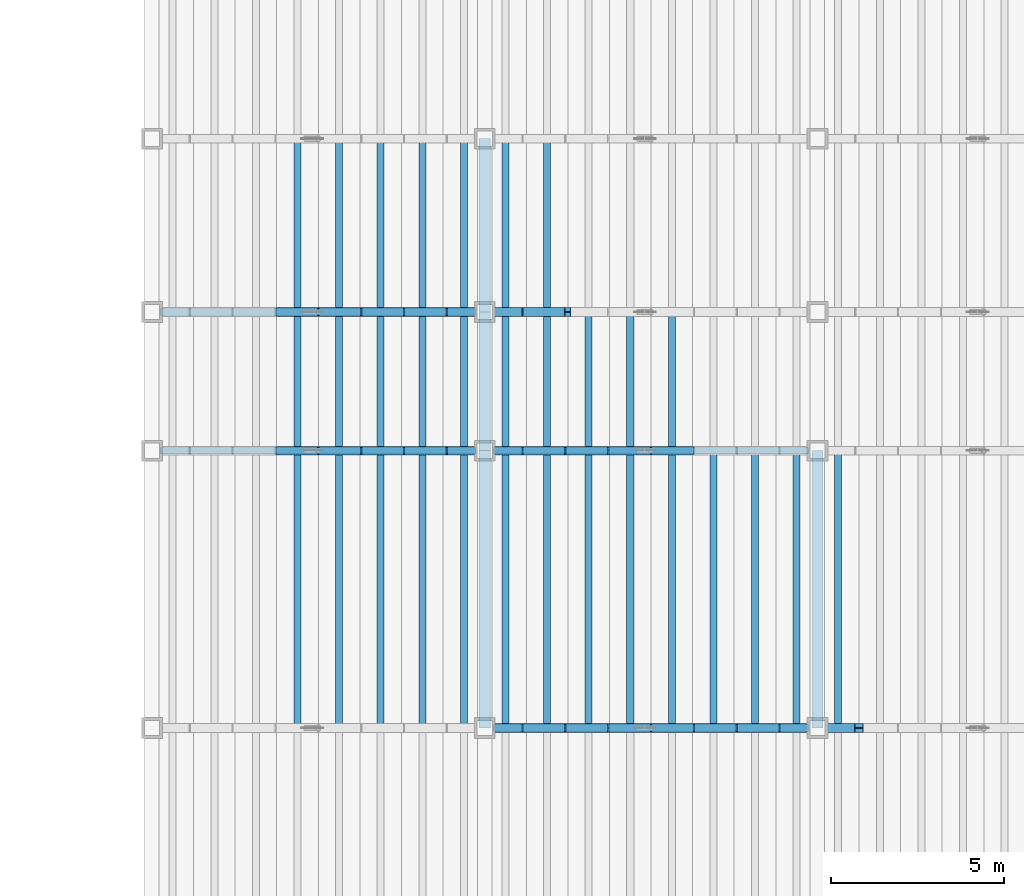
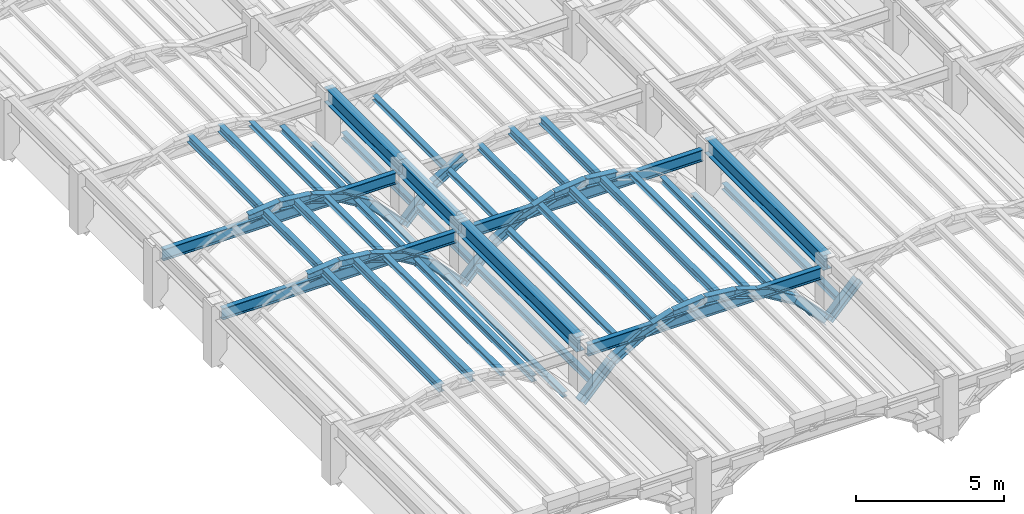
# One storey, part 17 of 70: 57 members, 8 beams.
"""IFC4 building model written with IfcOpenShell, lengths in metres."""

from ifc_helpers import new_model, si_unit, direction, frame, origin, origin_2d, place, context, subcontext, project, spatial, i_section, extrude, material, material_profile, profile_set, type_object, element, save


model = new_model("IFC4")

# Units and contexts
model_context = context("Model", 3, precision=1e-05, world=origin(), true_north=direction((0.0, 1.0)))
body_context = subcontext(model_context, "Body", "Model", "MODEL_VIEW")
ifc_project = project(units=[si_unit("LENGTHUNIT", "METRE"), si_unit("AREAUNIT", "SQUARE_METRE"), si_unit("VOLUMEUNIT", "CUBIC_METRE"), si_unit("PLANEANGLEUNIT", "RADIAN"), si_unit("MASSUNIT", "GRAM", prefix="KILO")], contexts=[model_context])

# Site, building, storey
site_placement = place(None, origin())
site = spatial("IfcSite", under=ifc_project, at=site_placement, CompositionType="ELEMENT")
building_placement = place(site_placement, origin())
building = spatial("IfcBuilding", under=site, at=building_placement, Name="Mavantir Sound Aquarium", CompositionType="ELEMENT")
storey_placement = place(building_placement, frame((0.0, 0.0, 27.0)))
storey = spatial("IfcBuildingStorey", under=building, at=storey_placement, Name="RF", CompositionType="ELEMENT", Elevation=27.0)

# Beams
ifc_material = material(Name="Structural Steel ASTM A992 Gr50", Category="steel")
ifc_material_profile_1 = material_profile(ifc_material, i_section(OverallWidth=0.194091796875, OverallDepth=0.468994140625, WebThickness=0.0126953125, FlangeThickness=0.0205078125, FilletRadius=0.01611328125, at=origin_2d()), Name="W460X106")
ifc_profile_set_1 = profile_set([ifc_material_profile_1], Name="Structural Steel ASTM A992 Gr50")
beam_type_1 = type_object("IfcBeamType", Name="BM-W460X106-I", PredefinedType="BEAM", material=ifc_profile_set_1)
for number, where, z_axis, x_axis, name in (
    (1, (108.25, 56.800048828125, -5.327392578125), (1.0, 0.0, 0.0), (0.0, 1.0, 0.0), "Scalloped bay 1 transverse tie girder 21"),
    (2, (108.25, 60.800048828125, -5.327392578125), (1.0, 0.0, 0.0), (0.0, 1.0, 0.0), "Scalloped bay 1 transverse tie girder 31"),
):
    element("IfcBeam", number, at=place(storey_placement, frame(where, z_axis=z_axis, x_axis=x_axis)), inside=storey, type_object=beam_type_1, Name=name, PredefinedType="BEAM", context=body_context, shape_type="SweptSolid", body=[
        extrude(i_section(OverallWidth=0.194091796875, OverallDepth=0.468994140625, WebThickness=0.0126953125, FlangeThickness=0.0205078125, FilletRadius=0.01611328125, at=origin_2d()), origin(), (0.0, 0.0, 1.0), 9.10009765625),
    ])
for number, where, z_axis, x_axis, name in (
    (3, (117.85009765625, 48.800048828125, -5.327392578125), (1.0, 0.0, 0.0), (0.0, 1.0, 0.0), "Scalloped bay 2 transverse tie girder 111"),
    (4, (117.85009765625, 56.800048828125, -5.327392578125), (1.0, 0.0, 0.0), (0.0, 1.0, 0.0), "Scalloped bay 2 transverse tie girder 121"),
):
    element("IfcBeam", number, at=place(storey_placement, frame(where, z_axis=z_axis, x_axis=x_axis)), inside=storey, type_object=beam_type_1, Name=name, PredefinedType="BEAM", context=body_context, shape_type="SweptSolid", body=[
        extrude(i_section(OverallWidth=0.194091796875, OverallDepth=0.468994140625, WebThickness=0.0126953125, FlangeThickness=0.0205078125, FilletRadius=0.01611328125, at=origin_2d()), origin(), (0.0, 0.0, 1.0), 9.099853515625),
    ])
ifc_material_profile_2 = material_profile(ifc_material, i_section(OverallWidth=0.323974609375, OverallDepth=0.611083984375, WebThickness=0.0126953125, FlangeThickness=0.01904296875, FilletRadius=0.01904296875, at=origin_2d()), Name="W610X155")
ifc_profile_set_2 = profile_set([ifc_material_profile_2], Name="Structural Steel ASTM A992 Gr50")
beam_type_2 = type_object("IfcBeamType", Name="BM-W610X155-E", PredefinedType="BEAM", material=ifc_profile_set_2)
beam_1_placement = place(storey_placement, frame((117.60009765625, 48.800048828125, -5.0048828125), z_axis=(0.0, 1.0, 0.0), x_axis=(-1.0, 0.0, 0.0)))
element("IfcBeam", 5, at=beam_1_placement, inside=storey, type_object=beam_type_2, Name="Scalloped roof straight ridge beam 11", PredefinedType="BEAM", context=body_context, shape_type="SweptSolid", body=[
    extrude(i_section(OverallWidth=0.323974609375, OverallDepth=0.611083984375, WebThickness=0.0126953125, FlangeThickness=0.01904296875, FilletRadius=0.01904296875, at=origin_2d()), origin(), (0.0, 0.0, 1.0), 8.0),
])
beam_2_placement = place(storey_placement, frame((117.60009765625, 56.800048828125, -5.0048828125), z_axis=(0.0, 1.0, 0.0), x_axis=(-1.0, 0.0, 0.0)))
element("IfcBeam", 6, at=beam_2_placement, inside=storey, type_object=beam_type_2, Name="Scalloped roof straight ridge beam 12", PredefinedType="BEAM", context=body_context, shape_type="SweptSolid", body=[
    extrude(i_section(OverallWidth=0.323974609375, OverallDepth=0.611083984375, WebThickness=0.0126953125, FlangeThickness=0.01904296875, FilletRadius=0.01904296875, at=origin_2d()), origin(), (0.0, 0.0, 1.0), 4.0),
])
beam_3_placement = place(storey_placement, frame((117.60009765625, 60.800048828125, -5.0048828125), z_axis=(0.0, 1.0, 0.0), x_axis=(-1.0, 0.0, 0.0)))
element("IfcBeam", 7, at=beam_3_placement, inside=storey, type_object=beam_type_2, Name="Scalloped roof straight ridge beam 13", PredefinedType="BEAM", context=body_context, shape_type="SweptSolid", body=[
    extrude(i_section(OverallWidth=0.323974609375, OverallDepth=0.611083984375, WebThickness=0.0126953125, FlangeThickness=0.01904296875, FilletRadius=0.01904296875, at=origin_2d()), origin(), (0.0, 0.0, 1.0), 5.0),
])
beam_4_placement = place(storey_placement, frame((127.199951171875, 48.800048828125, -5.0048828125), z_axis=(0.0, 1.0, 0.0), x_axis=(-1.0, 0.0, 0.0)))
element("IfcBeam", 8, at=beam_4_placement, inside=storey, type_object=beam_type_2, Name="Scalloped roof straight ridge beam 20", PredefinedType="BEAM", context=body_context, shape_type="SweptSolid", body=[
    extrude(i_section(OverallWidth=0.323974609375, OverallDepth=0.611083984375, WebThickness=0.0126953125, FlangeThickness=0.01904296875, FilletRadius=0.01904296875, at=origin_2d()), origin(), (0.0, 0.0, 1.0), 8.0),
])

# Members
ifc_material_profile_3 = material_profile(ifc_material, i_section(OverallWidth=0.202880859375, OverallDepth=0.202880859375, WebThickness=0.007080078125, FlangeThickness=0.010986328125, FilletRadius=0.010009765625, at=origin_2d()), Name="W200X46")
ifc_profile_set_3 = profile_set([ifc_material_profile_3], Name="Structural Steel ASTM A992 Gr50")
member_type_1 = type_object("IfcMemberType", Name="MEM-TR-W200", PredefinedType="PURLIN", material=ifc_profile_set_3)
for number, where, z_axis, x_axis, name in (
    (9, (114.60009765625, 48.800048828125, -5.169921875), (0.0, 1.0, 0.0), (-1.0, 0.0, 0.0), "Scalloped bay 1 roof purlin 14"),
    (10, (117.0, 48.800048828125, -6.881103515625), (0.0, 1.0, 0.0), (-1.0, 0.0, 0.0), "Scalloped bay 1 roof purlin 16"),
):
    element("IfcMember", number, at=place(storey_placement, frame(where, z_axis=z_axis, x_axis=x_axis)), inside=storey, type_object=member_type_1, Name=name, PredefinedType="PURLIN", context=body_context, shape_type="SweptSolid", body=[
        extrude(i_section(OverallWidth=0.202880859375, OverallDepth=0.202880859375, WebThickness=0.007080078125, FlangeThickness=0.010986328125, FilletRadius=0.010009765625, at=origin_2d()), origin(), (0.0, 0.0, 1.0), 8.0),
    ])
for number, where, z_axis, x_axis, name in (
    (11, (114.60009765625, 56.800048828125, -5.169921875), (0.0, 1.0, 0.0), (-1.0, 0.0, 0.0), "Scalloped bay 1 roof purlin 22"),
    (12, (117.0, 56.800048828125, -6.881103515625), (0.0, 1.0, 0.0), (-1.0, 0.0, 0.0), "Scalloped bay 1 roof purlin 24"),
):
    element("IfcMember", number, at=place(storey_placement, frame(where, z_axis=z_axis, x_axis=x_axis)), inside=storey, type_object=member_type_1, Name=name, PredefinedType="PURLIN", context=body_context, shape_type="SweptSolid", body=[
        extrude(i_section(OverallWidth=0.202880859375, OverallDepth=0.202880859375, WebThickness=0.007080078125, FlangeThickness=0.010986328125, FilletRadius=0.010009765625, at=origin_2d()), origin(), (0.0, 0.0, 1.0), 4.0),
    ])
for number, where, z_axis, x_axis, name in (
    (13, (114.60009765625, 60.800048828125, -5.169921875), (0.0, 1.0, 0.0), (-1.0, 0.0, 0.0), "Scalloped bay 1 roof purlin 30"),
    (14, (117.0, 60.800048828125, -6.881103515625), (0.0, 1.0, 0.0), (-1.0, 0.0, 0.0), "Scalloped bay 1 roof purlin 32"),
):
    element("IfcMember", number, at=place(storey_placement, frame(where, z_axis=z_axis, x_axis=x_axis)), inside=storey, type_object=member_type_1, Name=name, PredefinedType="PURLIN", context=body_context, shape_type="SweptSolid", body=[
        extrude(i_section(OverallWidth=0.202880859375, OverallDepth=0.202880859375, WebThickness=0.007080078125, FlangeThickness=0.010986328125, FilletRadius=0.010009765625, at=origin_2d()), origin(), (0.0, 0.0, 1.0), 5.0),
    ])
for number, where, z_axis, x_axis, name in (
    (15, (119.39990234375, 48.800048828125, -5.77978515625), (0.0, 1.0, 0.0), (-1.0, 0.0, 0.0), "Scalloped bay 2 roof purlin 82"),
    (16, (124.199951171875, 48.800048828125, -5.169921875), (0.0, 1.0, 0.0), (-1.0, 0.0, 0.0), "Scalloped bay 2 roof purlin 86"),
    (17, (126.60009765625, 48.800048828125, -6.881103515625), (0.0, 1.0, 0.0), (-1.0, 0.0, 0.0), "Scalloped bay 2 roof purlin 88"),
):
    element("IfcMember", number, at=place(storey_placement, frame(where, z_axis=z_axis, x_axis=x_axis)), inside=storey, type_object=member_type_1, Name=name, PredefinedType="PURLIN", context=body_context, shape_type="SweptSolid", body=[
        extrude(i_section(OverallWidth=0.202880859375, OverallDepth=0.202880859375, WebThickness=0.007080078125, FlangeThickness=0.010986328125, FilletRadius=0.010009765625, at=origin_2d()), origin(), (0.0, 0.0, 1.0), 8.0),
    ])
member_1_placement = place(storey_placement, frame((119.39990234375, 56.800048828125, -5.77978515625), z_axis=(0.0, 1.0, 0.0), x_axis=(-1.0, 0.0, 0.0)))
element("IfcMember", 18, at=member_1_placement, inside=storey, type_object=member_type_1, Name="Scalloped bay 2 roof purlin 90", PredefinedType="PURLIN", context=body_context, shape_type="SweptSolid", body=[
    extrude(i_section(OverallWidth=0.202880859375, OverallDepth=0.202880859375, WebThickness=0.007080078125, FlangeThickness=0.010986328125, FilletRadius=0.010009765625, at=origin_2d()), origin(), (0.0, 0.0, 1.0), 4.0),
])
member_2_placement = place(storey_placement, frame((119.39990234375, 60.800048828125, -5.77978515625), z_axis=(0.0, 1.0, 0.0), x_axis=(-1.0, 0.0, 0.0)))
element("IfcMember", 19, at=member_2_placement, inside=storey, type_object=member_type_1, Name="Scalloped bay 2 roof purlin 98", PredefinedType="PURLIN", context=body_context, shape_type="SweptSolid", body=[
    extrude(i_section(OverallWidth=0.202880859375, OverallDepth=0.202880859375, WebThickness=0.007080078125, FlangeThickness=0.010986328125, FilletRadius=0.010009765625, at=origin_2d()), origin(), (0.0, 0.0, 1.0), 5.0),
])
ifc_material_profile_4 = material_profile(ifc_material, i_section(OverallWidth=0.202880859375, OverallDepth=0.251953125, WebThickness=0.008056640625, FlangeThickness=0.013427734375, FilletRadius=0.011962890625, at=origin_2d()), Name="W250X58")
ifc_profile_set_4 = profile_set([ifc_material_profile_4], Name="Structural Steel ASTM A992 Gr50")
member_type_2 = type_object("IfcMemberType", Name="MEM-TR-W250", PredefinedType="PURLIN", material=ifc_profile_set_4)
member_3_placement = place(storey_placement, frame((115.800048828125, 48.800048828125, -5.804443359375), z_axis=(0.0, 1.0, 0.0), x_axis=(-1.0, 0.0, 0.0)))
element("IfcMember", 20, at=member_3_placement, inside=storey, type_object=member_type_2, Name="Scalloped bay 1 roof purlin 15", PredefinedType="PURLIN", context=body_context, shape_type="SweptSolid", body=[
    extrude(i_section(OverallWidth=0.202880859375, OverallDepth=0.251953125, WebThickness=0.008056640625, FlangeThickness=0.013427734375, FilletRadius=0.011962890625, at=origin_2d()), origin(), (0.0, 0.0, 1.0), 8.0),
])
member_4_placement = place(storey_placement, frame((115.800048828125, 56.800048828125, -5.804443359375), z_axis=(0.0, 1.0, 0.0), x_axis=(-1.0, 0.0, 0.0)))
element("IfcMember", 21, at=member_4_placement, inside=storey, type_object=member_type_2, Name="Scalloped bay 1 roof purlin 23", PredefinedType="PURLIN", context=body_context, shape_type="SweptSolid", body=[
    extrude(i_section(OverallWidth=0.202880859375, OverallDepth=0.251953125, WebThickness=0.008056640625, FlangeThickness=0.013427734375, FilletRadius=0.011962890625, at=origin_2d()), origin(), (0.0, 0.0, 1.0), 4.0),
])
member_5_placement = place(storey_placement, frame((115.800048828125, 60.800048828125, -5.804443359375), z_axis=(0.0, 1.0, 0.0), x_axis=(-1.0, 0.0, 0.0)))
element("IfcMember", 22, at=member_5_placement, inside=storey, type_object=member_type_2, Name="Scalloped bay 1 roof purlin 31", PredefinedType="PURLIN", context=body_context, shape_type="SweptSolid", body=[
    extrude(i_section(OverallWidth=0.202880859375, OverallDepth=0.251953125, WebThickness=0.008056640625, FlangeThickness=0.013427734375, FilletRadius=0.011962890625, at=origin_2d()), origin(), (0.0, 0.0, 1.0), 5.0),
])
for number, where, z_axis, x_axis, name in (
    (23, (118.199951171875, 48.800048828125, -6.90576171875), (0.0, 1.0, 0.0), (-1.0, 0.0, 0.0), "Scalloped bay 2 roof purlin 81"),
    (24, (120.60009765625, 48.800048828125, -5.194580078125), (0.0, 1.0, 0.0), (-1.0, 0.0, 0.0), "Scalloped bay 2 roof purlin 83"),
    (25, (125.39990234375, 48.800048828125, -5.804443359375), (0.0, 1.0, 0.0), (-1.0, 0.0, 0.0), "Scalloped bay 2 roof purlin 87"),
):
    element("IfcMember", number, at=place(storey_placement, frame(where, z_axis=z_axis, x_axis=x_axis)), inside=storey, type_object=member_type_2, Name=name, PredefinedType="PURLIN", context=body_context, shape_type="SweptSolid", body=[
        extrude(i_section(OverallWidth=0.202880859375, OverallDepth=0.251953125, WebThickness=0.008056640625, FlangeThickness=0.013427734375, FilletRadius=0.011962890625, at=origin_2d()), origin(), (0.0, 0.0, 1.0), 8.0),
    ])
for number, where, z_axis, x_axis, name in (
    (26, (118.199951171875, 56.800048828125, -6.90576171875), (0.0, 1.0, 0.0), (-1.0, 0.0, 0.0), "Scalloped bay 2 roof purlin 89"),
    (27, (120.60009765625, 56.800048828125, -5.194580078125), (0.0, 1.0, 0.0), (-1.0, 0.0, 0.0), "Scalloped bay 2 roof purlin 91"),
):
    element("IfcMember", number, at=place(storey_placement, frame(where, z_axis=z_axis, x_axis=x_axis)), inside=storey, type_object=member_type_2, Name=name, PredefinedType="PURLIN", context=body_context, shape_type="SweptSolid", body=[
        extrude(i_section(OverallWidth=0.202880859375, OverallDepth=0.251953125, WebThickness=0.008056640625, FlangeThickness=0.013427734375, FilletRadius=0.011962890625, at=origin_2d()), origin(), (0.0, 0.0, 1.0), 4.0),
    ])
member_6_placement = place(storey_placement, frame((118.199951171875, 60.800048828125, -6.90576171875), z_axis=(0.0, 1.0, 0.0), x_axis=(-1.0, 0.0, 0.0)))
element("IfcMember", 28, at=member_6_placement, inside=storey, type_object=member_type_2, Name="Scalloped bay 2 roof purlin 97", PredefinedType="PURLIN", context=body_context, shape_type="SweptSolid", body=[
    extrude(i_section(OverallWidth=0.202880859375, OverallDepth=0.251953125, WebThickness=0.008056640625, FlangeThickness=0.013427734375, FilletRadius=0.011962890625, at=origin_2d()), origin(), (0.0, 0.0, 1.0), 5.0),
])
member_7_placement = place(storey_placement, frame((127.800048828125, 48.800048828125, -6.90576171875), z_axis=(0.0, 1.0, 0.0), x_axis=(-1.0, 0.0, 0.0)))
element("IfcMember", 29, at=member_7_placement, inside=storey, type_object=member_type_2, Name="Scalloped bay 3 roof purlin 145", PredefinedType="PURLIN", context=body_context, shape_type="SweptSolid", body=[
    extrude(i_section(OverallWidth=0.202880859375, OverallDepth=0.251953125, WebThickness=0.008056640625, FlangeThickness=0.013427734375, FilletRadius=0.011962890625, at=origin_2d()), origin(), (0.0, 0.0, 1.0), 8.0),
])
ifc_material_profile_5 = material_profile(ifc_material, i_section(OverallWidth=0.205078125, OverallDepth=0.31005859375, WebThickness=0.009521484375, FlangeThickness=0.016357421875, FilletRadius=0.012939453125, at=origin_2d()), Name="W310X74")
ifc_profile_set_5 = profile_set([ifc_material_profile_5], Name="Structural Steel ASTM A992 Gr50")
member_type_3 = type_object("IfcMemberType", Name="MEM-TR-W310", PredefinedType="RAFTER", material=ifc_profile_set_5)
for number, where, z_axis, x_axis, name in (
    (30, (112.199951171875, 48.800048828125, -4.933837890625), (0.0, 1.0, 0.0), (-1.0, 0.0, 0.0), "Scalloped bay 1 roof purlin 12"),
    (31, (113.39990234375, 48.800048828125, -4.933837890625), (0.0, 1.0, 0.0), (-1.0, 0.0, 0.0), "Scalloped bay 1 roof purlin 13"),
):
    element("IfcMember", number, at=place(storey_placement, frame(where, z_axis=z_axis, x_axis=x_axis)), inside=storey, type_object=member_type_3, Name=name, PredefinedType="RAFTER", context=body_context, shape_type="SweptSolid", body=[
        extrude(i_section(OverallWidth=0.205078125, OverallDepth=0.31005859375, WebThickness=0.009521484375, FlangeThickness=0.016357421875, FilletRadius=0.012939453125, at=origin_2d()), origin(), (0.0, 0.0, 1.0), 8.0),
    ])
for number, where, z_axis, x_axis, name in (
    (32, (112.199951171875, 56.800048828125, -4.933837890625), (0.0, 1.0, 0.0), (-1.0, 0.0, 0.0), "Scalloped bay 1 roof purlin 20"),
    (33, (113.39990234375, 56.800048828125, -4.933837890625), (0.0, 1.0, 0.0), (-1.0, 0.0, 0.0), "Scalloped bay 1 roof purlin 21"),
):
    element("IfcMember", number, at=place(storey_placement, frame(where, z_axis=z_axis, x_axis=x_axis)), inside=storey, type_object=member_type_3, Name=name, PredefinedType="RAFTER", context=body_context, shape_type="SweptSolid", body=[
        extrude(i_section(OverallWidth=0.205078125, OverallDepth=0.31005859375, WebThickness=0.009521484375, FlangeThickness=0.016357421875, FilletRadius=0.012939453125, at=origin_2d()), origin(), (0.0, 0.0, 1.0), 4.0),
    ])
for number, where, z_axis, x_axis, name in (
    (34, (112.199951171875, 60.800048828125, -4.933837890625), (0.0, 1.0, 0.0), (-1.0, 0.0, 0.0), "Scalloped bay 1 roof purlin 28"),
    (35, (113.39990234375, 60.800048828125, -4.933837890625), (0.0, 1.0, 0.0), (-1.0, 0.0, 0.0), "Scalloped bay 1 roof purlin 29"),
):
    element("IfcMember", number, at=place(storey_placement, frame(where, z_axis=z_axis, x_axis=x_axis)), inside=storey, type_object=member_type_3, Name=name, PredefinedType="RAFTER", context=body_context, shape_type="SweptSolid", body=[
        extrude(i_section(OverallWidth=0.205078125, OverallDepth=0.31005859375, WebThickness=0.009521484375, FlangeThickness=0.016357421875, FilletRadius=0.012939453125, at=origin_2d()), origin(), (0.0, 0.0, 1.0), 5.0),
    ])
for number, where, z_axis, x_axis, name in (
    (36, (121.800048828125, 48.800048828125, -4.933837890625), (0.0, 1.0, 0.0), (-1.0, 0.0, 0.0), "Scalloped bay 2 roof purlin 84"),
    (37, (123.0, 48.800048828125, -4.933837890625), (0.0, 1.0, 0.0), (-1.0, 0.0, 0.0), "Scalloped bay 2 roof purlin 85"),
):
    element("IfcMember", number, at=place(storey_placement, frame(where, z_axis=z_axis, x_axis=x_axis)), inside=storey, type_object=member_type_3, Name=name, PredefinedType="RAFTER", context=body_context, shape_type="SweptSolid", body=[
        extrude(i_section(OverallWidth=0.205078125, OverallDepth=0.31005859375, WebThickness=0.009521484375, FlangeThickness=0.016357421875, FilletRadius=0.012939453125, at=origin_2d()), origin(), (0.0, 0.0, 1.0), 8.0),
    ])
for number, where, z_axis, x_axis, name in (
    (38, (121.800048828125, 56.800048828125, -4.933837890625), (0.0, 1.0, 0.0), (-1.0, 0.0, 0.0), "Scalloped bay 2 roof purlin 92"),
    (39, (123.0, 56.800048828125, -4.933837890625), (0.0, 1.0, 0.0), (-1.0, 0.0, 0.0), "Scalloped bay 2 roof purlin 93"),
):
    element("IfcMember", number, at=place(storey_placement, frame(where, z_axis=z_axis, x_axis=x_axis)), inside=storey, type_object=member_type_3, Name=name, PredefinedType="RAFTER", context=body_context, shape_type="SweptSolid", body=[
        extrude(i_section(OverallWidth=0.205078125, OverallDepth=0.31005859375, WebThickness=0.009521484375, FlangeThickness=0.016357421875, FilletRadius=0.012939453125, at=origin_2d()), origin(), (0.0, 0.0, 1.0), 4.0),
    ])
ifc_material_profile_6 = material_profile(ifc_material, i_section(OverallWidth=0.25390625, OverallDepth=0.35302734375, WebThickness=0.009521484375, FlangeThickness=0.016357421875, FilletRadius=0.014892578125, at=origin_2d()), Name="W360X91")
ifc_profile_set_6 = profile_set([ifc_material_profile_6], Name="Structural Steel ASTM A992 Gr50")
member_type_4 = type_object("IfcMemberType", Name="MEM-TR-W360", PredefinedType="RAFTER", material=ifc_profile_set_6)
for number, where, z_axis, x_axis, name in (
    (40, (111.60009765625, 56.800048828125, -5.000732421875), (0.994680359373, 0.0, 0.103009624196), (0.0, 1.0, 0.0), "Scalloped bay 1 sagging-arc trough rib 25"),
    (41, (112.800048828125, 56.800048828125, -4.87646484375), (0.994680359373, 0.0, -0.103009624196), (0.0, 1.0, 0.0), "Scalloped bay 1 sagging-arc trough rib 26"),
):
    element("IfcMember", number, at=place(storey_placement, frame(where, z_axis=z_axis, x_axis=x_axis)), inside=storey, type_object=member_type_4, Name=name, PredefinedType="RAFTER", context=body_context, shape_type="SweptSolid", body=[
        extrude(i_section(OverallWidth=0.25390625, OverallDepth=0.35302734375, WebThickness=0.009521484375, FlangeThickness=0.016357421875, FilletRadius=0.014892578125, at=origin_2d()), origin(), (0.0, 0.0, 1.0), 1.206298828125),
    ])
member_8_placement = place(storey_placement, frame((114.0, 56.800048828125, -5.000732421875), z_axis=(0.951055396379, 0.0, -0.309020441102), x_axis=(0.0, 1.0, 0.0)))
element("IfcMember", 42, at=member_8_placement, inside=storey, type_object=member_type_4, Name="Scalloped bay 1 sagging-arc trough rib 28", PredefinedType="RAFTER", context=body_context, shape_type="SweptSolid", body=[
    extrude(i_section(OverallWidth=0.25390625, OverallDepth=0.35302734375, WebThickness=0.009521484375, FlangeThickness=0.016357421875, FilletRadius=0.014892578125, at=origin_2d()), origin(), (0.0, 0.0, 1.0), 1.26171875),
])
member_9_placement = place(storey_placement, frame((115.199951171875, 56.800048828125, -5.390625), z_axis=(0.856645937356, 0.0, -0.515904776109), x_axis=(0.0, 1.0, 0.0)))
element("IfcMember", 43, at=member_9_placement, inside=storey, type_object=member_type_4, Name="Scalloped bay 1 sagging-arc trough rib 29", PredefinedType="RAFTER", context=body_context, shape_type="SweptSolid", body=[
    extrude(i_section(OverallWidth=0.25390625, OverallDepth=0.35302734375, WebThickness=0.009521484375, FlangeThickness=0.016357421875, FilletRadius=0.014892578125, at=origin_2d()), origin(), (0.0, 0.0, 1.0), 1.400634765625),
])
member_10_placement = place(storey_placement, frame((116.39990234375, 56.800048828125, -6.11328125), z_axis=(0.688801013332, 0.0, -0.724950456261), x_axis=(0.0, 1.0, 0.0)))
element("IfcMember", 44, at=member_10_placement, inside=storey, type_object=member_type_4, Name="Scalloped bay 1 sagging-arc trough rib 30", PredefinedType="RAFTER", context=body_context, shape_type="SweptSolid", body=[
    extrude(i_section(OverallWidth=0.25390625, OverallDepth=0.35302734375, WebThickness=0.009521484375, FlangeThickness=0.016357421875, FilletRadius=0.014892578125, at=origin_2d()), origin(), (0.0, 0.0, 1.0), 1.742431640625),
])
for number, where, z_axis, x_axis, name in (
    (45, (111.60009765625, 60.800048828125, -5.000732421875), (0.994680359373, 0.0, 0.103009624196), (0.0, 1.0, 0.0), "Scalloped bay 1 sagging-arc trough rib 35"),
    (46, (112.800048828125, 60.800048828125, -4.87646484375), (0.994680359373, 0.0, -0.103009624196), (0.0, 1.0, 0.0), "Scalloped bay 1 sagging-arc trough rib 36"),
):
    element("IfcMember", number, at=place(storey_placement, frame(where, z_axis=z_axis, x_axis=x_axis)), inside=storey, type_object=member_type_4, Name=name, PredefinedType="RAFTER", context=body_context, shape_type="SweptSolid", body=[
        extrude(i_section(OverallWidth=0.25390625, OverallDepth=0.35302734375, WebThickness=0.009521484375, FlangeThickness=0.016357421875, FilletRadius=0.014892578125, at=origin_2d()), origin(), (0.0, 0.0, 1.0), 1.206298828125),
    ])
member_11_placement = place(storey_placement, frame((114.0, 60.800048828125, -5.000732421875), z_axis=(0.951055396379, 0.0, -0.309020441102), x_axis=(0.0, 1.0, 0.0)))
element("IfcMember", 47, at=member_11_placement, inside=storey, type_object=member_type_4, Name="Scalloped bay 1 sagging-arc trough rib 38", PredefinedType="RAFTER", context=body_context, shape_type="SweptSolid", body=[
    extrude(i_section(OverallWidth=0.25390625, OverallDepth=0.35302734375, WebThickness=0.009521484375, FlangeThickness=0.016357421875, FilletRadius=0.014892578125, at=origin_2d()), origin(), (0.0, 0.0, 1.0), 1.26171875),
])
member_12_placement = place(storey_placement, frame((115.199951171875, 60.800048828125, -5.390625), z_axis=(0.856645937356, 0.0, -0.515904776109), x_axis=(0.0, 1.0, 0.0)))
element("IfcMember", 48, at=member_12_placement, inside=storey, type_object=member_type_4, Name="Scalloped bay 1 sagging-arc trough rib 39", PredefinedType="RAFTER", context=body_context, shape_type="SweptSolid", body=[
    extrude(i_section(OverallWidth=0.25390625, OverallDepth=0.35302734375, WebThickness=0.009521484375, FlangeThickness=0.016357421875, FilletRadius=0.014892578125, at=origin_2d()), origin(), (0.0, 0.0, 1.0), 1.400634765625),
])
member_13_placement = place(storey_placement, frame((116.39990234375, 60.800048828125, -6.11328125), z_axis=(0.688801013332, 0.0, -0.724950456261), x_axis=(0.0, 1.0, 0.0)))
element("IfcMember", 49, at=member_13_placement, inside=storey, type_object=member_type_4, Name="Scalloped bay 1 sagging-arc trough rib 40", PredefinedType="RAFTER", context=body_context, shape_type="SweptSolid", body=[
    extrude(i_section(OverallWidth=0.25390625, OverallDepth=0.35302734375, WebThickness=0.009521484375, FlangeThickness=0.016357421875, FilletRadius=0.014892578125, at=origin_2d()), origin(), (0.0, 0.0, 1.0), 1.742431640625),
])
member_14_placement = place(storey_placement, frame((117.60009765625, 48.800048828125, -7.37646484375), z_axis=(0.688727365252, 0.0, 0.725020424784), x_axis=(0.0, 1.0, 0.0)))
element("IfcMember", 50, at=member_14_placement, inside=storey, type_object=member_type_4, Name="Scalloped bay 2 sagging-arc trough rib 112", PredefinedType="RAFTER", context=body_context, shape_type="SweptSolid", body=[
    extrude(i_section(OverallWidth=0.25390625, OverallDepth=0.35302734375, WebThickness=0.009521484375, FlangeThickness=0.016357421875, FilletRadius=0.014892578125, at=origin_2d()), origin(), (0.0, 0.0, 1.0), 1.7421875),
])
member_15_placement = place(storey_placement, frame((118.800048828125, 48.800048828125, -6.11328125), z_axis=(0.856645937356, 0.0, 0.515904776109), x_axis=(0.0, 1.0, 0.0)))
element("IfcMember", 51, at=member_15_placement, inside=storey, type_object=member_type_4, Name="Scalloped bay 2 sagging-arc trough rib 113", PredefinedType="RAFTER", context=body_context, shape_type="SweptSolid", body=[
    extrude(i_section(OverallWidth=0.25390625, OverallDepth=0.35302734375, WebThickness=0.009521484375, FlangeThickness=0.016357421875, FilletRadius=0.014892578125, at=origin_2d()), origin(), (0.0, 0.0, 1.0), 1.400634765625),
])
member_16_placement = place(storey_placement, frame((120.0, 48.800048828125, -5.390625), z_axis=(0.951055396379, 0.0, 0.309020441102), x_axis=(0.0, 1.0, 0.0)))
element("IfcMember", 52, at=member_16_placement, inside=storey, type_object=member_type_4, Name="Scalloped bay 2 sagging-arc trough rib 114", PredefinedType="RAFTER", context=body_context, shape_type="SweptSolid", body=[
    extrude(i_section(OverallWidth=0.25390625, OverallDepth=0.35302734375, WebThickness=0.009521484375, FlangeThickness=0.016357421875, FilletRadius=0.014892578125, at=origin_2d()), origin(), (0.0, 0.0, 1.0), 1.26171875),
])
member_17_placement = place(storey_placement, frame((121.199951171875, 48.800048828125, -5.000732421875), z_axis=(0.994680359373, 0.0, 0.103009624196), x_axis=(0.0, 1.0, 0.0)))
element("IfcMember", 53, at=member_17_placement, inside=storey, type_object=member_type_4, Name="Scalloped bay 2 sagging-arc trough rib 115", PredefinedType="RAFTER", context=body_context, shape_type="SweptSolid", body=[
    extrude(i_section(OverallWidth=0.25390625, OverallDepth=0.35302734375, WebThickness=0.009521484375, FlangeThickness=0.016357421875, FilletRadius=0.014892578125, at=origin_2d()), origin(), (0.0, 0.0, 1.0), 1.206298828125),
])
member_18_placement = place(storey_placement, frame((122.39990234375, 48.800048828125, -4.87646484375), z_axis=(0.994682506138, 0.0, -0.102988892519), x_axis=(0.0, 1.0, 0.0)))
element("IfcMember", 54, at=member_18_placement, inside=storey, type_object=member_type_4, Name="Scalloped bay 2 sagging-arc trough rib 116", PredefinedType="RAFTER", context=body_context, shape_type="SweptSolid", body=[
    extrude(i_section(OverallWidth=0.25390625, OverallDepth=0.35302734375, WebThickness=0.009521484375, FlangeThickness=0.016357421875, FilletRadius=0.014892578125, at=origin_2d()), origin(), (0.0, 0.0, 1.0), 1.20654296875),
])
member_19_placement = place(storey_placement, frame((123.60009765625, 48.800048828125, -5.000732421875), z_axis=(0.951055396379, 0.0, -0.309020441102), x_axis=(0.0, 1.0, 0.0)))
element("IfcMember", 55, at=member_19_placement, inside=storey, type_object=member_type_4, Name="Scalloped bay 2 sagging-arc trough rib 118", PredefinedType="RAFTER", context=body_context, shape_type="SweptSolid", body=[
    extrude(i_section(OverallWidth=0.25390625, OverallDepth=0.35302734375, WebThickness=0.009521484375, FlangeThickness=0.016357421875, FilletRadius=0.014892578125, at=origin_2d()), origin(), (0.0, 0.0, 1.0), 1.26171875),
])
member_20_placement = place(storey_placement, frame((124.800048828125, 48.800048828125, -5.390625), z_axis=(0.856645937356, 0.0, -0.515904776109), x_axis=(0.0, 1.0, 0.0)))
element("IfcMember", 56, at=member_20_placement, inside=storey, type_object=member_type_4, Name="Scalloped bay 2 sagging-arc trough rib 119", PredefinedType="RAFTER", context=body_context, shape_type="SweptSolid", body=[
    extrude(i_section(OverallWidth=0.25390625, OverallDepth=0.35302734375, WebThickness=0.009521484375, FlangeThickness=0.016357421875, FilletRadius=0.014892578125, at=origin_2d()), origin(), (0.0, 0.0, 1.0), 1.400634765625),
])
for number, where, z_axis, x_axis, name in (
    (57, (126.0, 48.800048828125, -6.11328125), (0.688727365252, 0.0, -0.725020424784), (0.0, 1.0, 0.0), "Scalloped bay 2 sagging-arc trough rib 120"),
    (58, (117.60009765625, 56.800048828125, -7.37646484375), (0.688727365252, 0.0, 0.725020424784), (0.0, 1.0, 0.0), "Scalloped bay 2 sagging-arc trough rib 122"),
):
    element("IfcMember", number, at=place(storey_placement, frame(where, z_axis=z_axis, x_axis=x_axis)), inside=storey, type_object=member_type_4, Name=name, PredefinedType="RAFTER", context=body_context, shape_type="SweptSolid", body=[
        extrude(i_section(OverallWidth=0.25390625, OverallDepth=0.35302734375, WebThickness=0.009521484375, FlangeThickness=0.016357421875, FilletRadius=0.014892578125, at=origin_2d()), origin(), (0.0, 0.0, 1.0), 1.7421875),
    ])
member_21_placement = place(storey_placement, frame((118.800048828125, 56.800048828125, -6.11328125), z_axis=(0.856645937356, 0.0, 0.515904776109), x_axis=(0.0, 1.0, 0.0)))
element("IfcMember", 59, at=member_21_placement, inside=storey, type_object=member_type_4, Name="Scalloped bay 2 sagging-arc trough rib 123", PredefinedType="RAFTER", context=body_context, shape_type="SweptSolid", body=[
    extrude(i_section(OverallWidth=0.25390625, OverallDepth=0.35302734375, WebThickness=0.009521484375, FlangeThickness=0.016357421875, FilletRadius=0.014892578125, at=origin_2d()), origin(), (0.0, 0.0, 1.0), 1.400634765625),
])
member_22_placement = place(storey_placement, frame((120.0, 56.800048828125, -5.390625), z_axis=(0.951055396379, 0.0, 0.309020441102), x_axis=(0.0, 1.0, 0.0)))
element("IfcMember", 60, at=member_22_placement, inside=storey, type_object=member_type_4, Name="Scalloped bay 2 sagging-arc trough rib 124", PredefinedType="RAFTER", context=body_context, shape_type="SweptSolid", body=[
    extrude(i_section(OverallWidth=0.25390625, OverallDepth=0.35302734375, WebThickness=0.009521484375, FlangeThickness=0.016357421875, FilletRadius=0.014892578125, at=origin_2d()), origin(), (0.0, 0.0, 1.0), 1.26171875),
])
member_23_placement = place(storey_placement, frame((121.199951171875, 56.800048828125, -5.000732421875), z_axis=(0.994680359373, 0.0, 0.103009624196), x_axis=(0.0, 1.0, 0.0)))
element("IfcMember", 61, at=member_23_placement, inside=storey, type_object=member_type_4, Name="Scalloped bay 2 sagging-arc trough rib 125", PredefinedType="RAFTER", context=body_context, shape_type="SweptSolid", body=[
    extrude(i_section(OverallWidth=0.25390625, OverallDepth=0.35302734375, WebThickness=0.009521484375, FlangeThickness=0.016357421875, FilletRadius=0.014892578125, at=origin_2d()), origin(), (0.0, 0.0, 1.0), 1.206298828125),
])
member_24_placement = place(storey_placement, frame((122.39990234375, 56.800048828125, -4.87646484375), z_axis=(0.994682506138, 0.0, -0.102988892519), x_axis=(0.0, 1.0, 0.0)))
element("IfcMember", 62, at=member_24_placement, inside=storey, type_object=member_type_4, Name="Scalloped bay 2 sagging-arc trough rib 126", PredefinedType="RAFTER", context=body_context, shape_type="SweptSolid", body=[
    extrude(i_section(OverallWidth=0.25390625, OverallDepth=0.35302734375, WebThickness=0.009521484375, FlangeThickness=0.016357421875, FilletRadius=0.014892578125, at=origin_2d()), origin(), (0.0, 0.0, 1.0), 1.20654296875),
])
member_25_placement = place(storey_placement, frame((117.60009765625, 60.800048828125, -7.37646484375), z_axis=(0.688727365252, 0.0, 0.725020424784), x_axis=(0.0, 1.0, 0.0)))
element("IfcMember", 63, at=member_25_placement, inside=storey, type_object=member_type_4, Name="Scalloped bay 2 sagging-arc trough rib 132", PredefinedType="RAFTER", context=body_context, shape_type="SweptSolid", body=[
    extrude(i_section(OverallWidth=0.25390625, OverallDepth=0.35302734375, WebThickness=0.009521484375, FlangeThickness=0.016357421875, FilletRadius=0.014892578125, at=origin_2d()), origin(), (0.0, 0.0, 1.0), 1.7421875),
])
member_26_placement = place(storey_placement, frame((118.800048828125, 60.800048828125, -6.11328125), z_axis=(0.856645937356, 0.0, 0.515904776109), x_axis=(0.0, 1.0, 0.0)))
element("IfcMember", 64, at=member_26_placement, inside=storey, type_object=member_type_4, Name="Scalloped bay 2 sagging-arc trough rib 133", PredefinedType="RAFTER", context=body_context, shape_type="SweptSolid", body=[
    extrude(i_section(OverallWidth=0.25390625, OverallDepth=0.35302734375, WebThickness=0.009521484375, FlangeThickness=0.016357421875, FilletRadius=0.014892578125, at=origin_2d()), origin(), (0.0, 0.0, 1.0), 1.400634765625),
])
member_27_placement = place(storey_placement, frame((127.199951171875, 48.800048828125, -7.37646484375), z_axis=(0.688727365252, 0.0, 0.725020424784), x_axis=(0.0, 1.0, 0.0)))
element("IfcMember", 65, at=member_27_placement, inside=storey, type_object=member_type_4, Name="Scalloped bay 3 sagging-arc trough rib 202", PredefinedType="RAFTER", context=body_context, shape_type="SweptSolid", body=[
    extrude(i_section(OverallWidth=0.25390625, OverallDepth=0.35302734375, WebThickness=0.009521484375, FlangeThickness=0.016357421875, FilletRadius=0.014892578125, at=origin_2d()), origin(), (0.0, 0.0, 1.0), 1.7421875),
])

save(model, "model.ifc")
